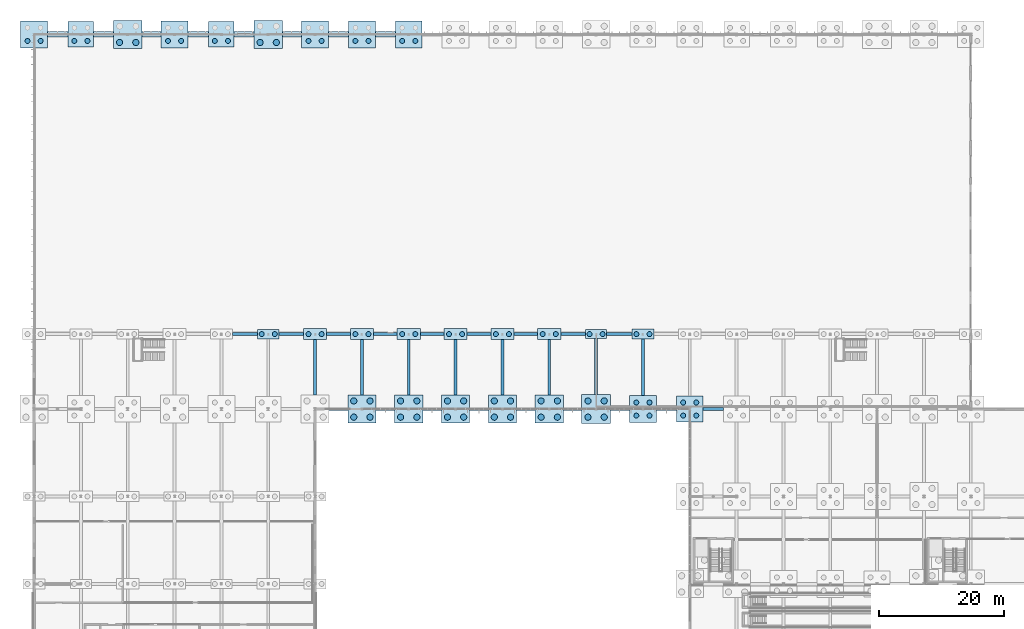
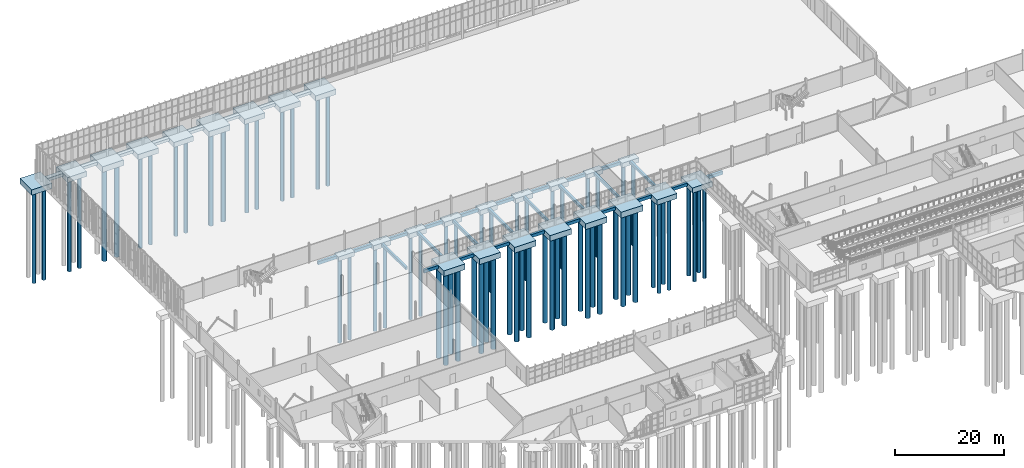
# One storey, part 5 of 136: 68 piles, 60 footings.
"""IFC4 building model written with IfcOpenShell, lengths in metres."""

import ifcopenshell
import ifcopenshell.guid

model = None  # the IFC model being written
_history = None  # IfcOwnerHistory: only IFC2X3 demands one
_inside = {}  # id of a spatial element -> (the spatial element, [elements in it])
_under = {}  # id of a project, library or spatial element -> (it, [spatial elements below it])
_declared = {}  # id of a project -> (the project, [libraries it declares])
_typed = {}  # id of a type object -> (the type object, [elements of that type])
_made_of = {}  # id of a material, layer set ... -> (it, [elements and type objects made of it])


def new_model(schema):
    """Start an empty IFC model of exactly this schema.

    Asked for "IFC4X3", IfcOpenShell would pick the latest addendum, in which some entities
    have other attributes; the version numbers below select the first issue.
    IFC2X3 requires an IfcOwnerHistory on every rooted entity: one is made here for all.
    """
    global model, _history
    if schema == "IFC4X3":
        model = ifcopenshell.file(schema_version=(4, 3, 0, 0))
    else:
        model = ifcopenshell.file(schema=schema)
    _inside.clear()
    _under.clear()
    _declared.clear()
    _typed.clear()
    _made_of.clear()
    _history = None
    if model.schema == "IFC2X3":
        org = make("IfcOrganization", Name="unknown")
        user = make(
            "IfcPersonAndOrganization",
            ThePerson=make("IfcPerson", FamilyName="unknown"),
            TheOrganization=org,
        )
        app = make(
            "IfcApplication",
            ApplicationDeveloper=org,
            Version="unknown",
            ApplicationFullName="unknown",
            ApplicationIdentifier="unknown",
        )
        _history = make(
            "IfcOwnerHistory",
            OwningUser=user,
            OwningApplication=app,
            ChangeAction="ADDED",
            CreationDate=0,
        )
    return model


def make(cls, **values):
    """One entity of the class cls with the attributes given. An attribute that is None is left unset."""
    return model.create_entity(
        cls, **{name: value for name, value in values.items() if value is not None}
    )


def rooted(cls, **values):
    """An entity with a GlobalId (a new one), such as an element, a storey or a relation."""
    return make(cls, GlobalId=ifcopenshell.guid.new(), OwnerHistory=_history, **values)


def si_unit(unit_type, name, prefix=None):
    """IfcSIUnit, for example si_unit("LENGTHUNIT", "METRE", prefix="MILLI")."""
    return make("IfcSIUnit", UnitType=unit_type, Prefix=prefix, Name=name)


def assignment(units):
    """IfcUnitAssignment: the units of a project."""
    return None if units is None else make("IfcUnitAssignment", Units=units)


def point(xyz):
    """IfcCartesianPoint."""
    return None if xyz is None else make("IfcCartesianPoint", Coordinates=xyz)


def direction(xyz):
    """IfcDirection."""
    return None if xyz is None else make("IfcDirection", DirectionRatios=xyz)


def frame(location, z_axis=None, x_axis=None):
    """IfcAxis2Placement3D, a coordinate frame: its origin and axes. An axis left out is left unset."""
    return make(
        "IfcAxis2Placement3D",
        Location=point(location),
        Axis=direction(z_axis),
        RefDirection=direction(x_axis),
    )


def frame_2d(location, x_axis=None):
    """IfcAxis2Placement2D, a coordinate frame in the plane: its origin and x axis."""
    return make(
        "IfcAxis2Placement2D", Location=point(location), RefDirection=direction(x_axis)
    )


def origin():
    """The frame at (0, 0, 0) with its axes left unset."""
    return frame((0.0, 0.0, 0.0))


def origin_2d():
    """The frame at (0, 0) in the plane with its x axis left unset."""
    return frame_2d((0.0, 0.0))


def place(relative_to, where):
    """IfcLocalPlacement: puts the frame where relative to a parent placement (None: the world)."""
    return make(
        "IfcLocalPlacement", PlacementRelTo=relative_to, RelativePlacement=where
    )


def context(
    kind, dimensions, precision=None, world=None, true_north=None, identifier=None
):
    """IfcGeometricRepresentationContext, for example the 3D "Model" context."""
    return make(
        "IfcGeometricRepresentationContext",
        ContextIdentifier=identifier,
        ContextType=kind,
        CoordinateSpaceDimension=dimensions,
        Precision=precision,
        WorldCoordinateSystem=world,
        TrueNorth=true_north,
    )


def subcontext(parent, identifier, kind, view, scale=None):
    """IfcGeometricRepresentationSubContext, for example "Body" below "Model"."""
    return make(
        "IfcGeometricRepresentationSubContext",
        ContextIdentifier=identifier,
        ContextType=kind,
        ParentContext=parent,
        TargetScale=scale,
        TargetView=view,
    )


def project(units=None, contexts=None):
    """IfcProject with its units and contexts."""
    return rooted(
        "IfcProject",
        Name="project",
        RepresentationContexts=contexts,
        UnitsInContext=assignment(units),
    )


def spatial(cls, under=None, at=None, **own):
    """A site, building, storey or space (cls), placed at a placement, below another one or the project."""
    s = rooted(cls, ObjectPlacement=at, **own)
    if under is not None:
        _under.setdefault(under.id(), (under, []))[1].append(s)
    return s


def profile(cls, at=None, kind="AREA", **sizes):
    """A parametric profile (cls). Its sizes go by their IFC names, for example OverallWidth=200.0."""
    return make(cls, ProfileType=kind, Position=at, **sizes)


def rectangle(**sizes):
    """IfcRectangleProfileDef."""
    return profile("IfcRectangleProfileDef", **sizes)


def circle(**sizes):
    """IfcCircleProfileDef."""
    return profile("IfcCircleProfileDef", **sizes)


def extrude(swept, where, along, depth):
    """IfcExtrudedAreaSolid: the profile swept, set in the frame where, extruded along a direction by depth."""
    return make(
        "IfcExtrudedAreaSolid",
        SweptArea=swept,
        Position=where,
        ExtrudedDirection=direction(along),
        Depth=depth,
    )


def shape(context_of_items, identifier, shape_type, items):
    """IfcShapeRepresentation: the items that make up one representation, for example the "Body"."""
    return make(
        "IfcShapeRepresentation",
        ContextOfItems=context_of_items,
        RepresentationIdentifier=identifier,
        RepresentationType=shape_type,
        Items=items,
    )


def material(Name=None, Category=None):
    """IfcMaterial."""
    return make("IfcMaterial", Name=Name, Category=Category)


def material_profile(
    of_material, cross_section, Name=None, Category=None, Priority=None
):
    """IfcMaterialProfile: a cross section and its material."""
    return make(
        "IfcMaterialProfile",
        Name=Name,
        Material=of_material,
        Profile=cross_section,
        Priority=Priority,
        Category=Category,
    )


def profile_set(profiles, Name=None, composite=None):
    """IfcMaterialProfileSet."""
    return make(
        "IfcMaterialProfileSet",
        Name=Name,
        MaterialProfiles=profiles,
        CompositeProfile=composite,
    )


def made_of(thing, what):
    """Note that an element or type object is made of a material, layer set ...; save() writes the relation."""
    if what is not None:
        _made_of.setdefault(what.id(), (what, []))[1].append(thing)
    return thing


def type_object(cls, material=None, **own):
    """A type object (cls), such as IfcWallType, which elements share."""
    return made_of(rooted(cls, **own), material)


def element(
    cls,
    number,
    at=None,
    inside=None,
    cuts=None,
    type_object=None,
    material=None,
    context=None,
    identifier="Body",
    shape_type=None,
    held_by="IfcProductDefinitionShape",
    body=None,
    shapes=None,
    **own,
):
    """One element of the class cls, such as IfcWall. Its Tag is "e" and its number.

    at: its placement. inside: the storey or other place that contains it. cuts: it is an
    opening in that element (IfcRelVoidsElement). A single representation is given by context,
    identifier, shape_type and body (its items); several are given by shapes. held_by: the class
    of the entity that holds the representations. save() writes the other relations.
    """
    e = rooted(cls, Tag="e%d" % number, ObjectPlacement=at, **own)
    if body is not None:
        shapes = [shape(context, identifier, shape_type, body)]
    if shapes is not None:
        e.Representation = make(held_by, Representations=shapes)
    if inside is not None:
        _inside.setdefault(inside.id(), (inside, []))[1].append(e)
    if cuts is not None:
        rooted(
            "IfcRelVoidsElement", RelatingBuildingElement=cuts, RelatedOpeningElement=e
        )
    if type_object is not None:
        _typed.setdefault(type_object.id(), (type_object, []))[1].append(e)
    return made_of(e, material)


def aggregate(whole, parts):
    """IfcRelAggregates: a whole, such as a stair, and the parts it consists of."""
    return rooted("IfcRelAggregates", RelatingObject=whole, RelatedObjects=parts)


def save(model, path):
    """Write the relations noted so far, then the file.

    IfcRelAggregates (storeys below a building ...), IfcRelContainedInSpatialStructure (elements
    in a storey), IfcRelDefinesByType, IfcRelAssociatesMaterial and IfcRelDeclares: one each for
    every whole, place, type object, material and project.
    """
    for whole, parts in _under.values():
        aggregate(whole, parts)
    for where, things in _inside.values():
        rooted(
            "IfcRelContainedInSpatialStructure",
            RelatedElements=things,
            RelatingStructure=where,
        )
    for kind, things in _typed.values():
        rooted("IfcRelDefinesByType", RelatedObjects=things, RelatingType=kind)
    for what, things in _made_of.values():
        rooted("IfcRelAssociatesMaterial", RelatedObjects=things, RelatingMaterial=what)
    for by, libraries in _declared.values():
        rooted("IfcRelDeclares", RelatingContext=by, RelatedDefinitions=libraries)
    model.write(path)


model = new_model("IFC4")

# Units and contexts
model_context = context("Model", 3, precision=1e-05, world=origin(), true_north=direction((0.0, 1.0)))
body_context = subcontext(model_context, "Body", "Model", "MODEL_VIEW")
ifc_project = project(units=[si_unit("LENGTHUNIT", "METRE"), si_unit("AREAUNIT", "SQUARE_METRE"), si_unit("VOLUMEUNIT", "CUBIC_METRE"), si_unit("PLANEANGLEUNIT", "RADIAN"), si_unit("MASSUNIT", "GRAM", prefix="KILO")], contexts=[model_context])

# Site, building, storey
site_placement = place(None, origin())
site = spatial("IfcSite", under=ifc_project, at=site_placement, CompositionType="ELEMENT")
building_placement = place(site_placement, origin())
building = spatial("IfcBuilding", under=site, at=building_placement, Name="Solvenia Promenade Tram Depot", CompositionType="ELEMENT")
storey_placement = place(building_placement, origin())
storey = spatial("IfcBuildingStorey", under=building, at=storey_placement, Name="L00", CompositionType="ELEMENT", Elevation=0.0)

# Footings
ifc_material = material(Name="Concrete C28/35", Category="concrete")
footing_type_1 = type_object("IfcFootingType", Name="Cap-PC2-3400x1450", PredefinedType="PILE_CAP", material=ifc_material)
footing_1_placement = place(storey_placement, frame((90.0, 78.0, -1.25), z_axis=(0.0, 0.0, 1.0), x_axis=(1.0, 0.0, 0.0)))
element("IfcFooting", 1, at=footing_1_placement, inside=storey, type_object=footing_type_1, Name="Pile Cap CAP-089", PredefinedType="PILE_CAP", context=body_context, shape_type="SweptSolid", body=[
    extrude(rectangle(XDim=3.39990234375, YDim=1.449951171875, at=origin_2d()), origin(), (0.0, 0.0, 1.0), 0.949951171875),
])
footing_type_2 = type_object("IfcFootingType", Name="Cap-PC2-3450x1500", PredefinedType="PILE_CAP", material=ifc_material)
footing_2_placement = place(storey_placement, frame((37.5, 78.0, -1.280029296875), z_axis=(0.0, 0.0, 1.0), x_axis=(1.0, 0.0, 0.0)))
element("IfcFooting", 2, at=footing_2_placement, inside=storey, type_object=footing_type_2, Name="Pile Cap CAP-046", PredefinedType="PILE_CAP", context=body_context, shape_type="SweptSolid", body=[
    extrude(rectangle(XDim=3.449951171875, YDim=1.5, at=origin_2d()), origin(), (0.0, 0.0, 1.0), 0.97998046875),
])
footing_type_3 = type_object("IfcFootingType", Name="Cap-PC2-3550x1620", PredefinedType="PILE_CAP", material=ifc_material)
footing_3_placement = place(storey_placement, frame((97.5, 78.0, -1.320068359375), z_axis=(0.0, 0.0, 1.0), x_axis=(1.0, 0.0, 0.0)))
element("IfcFooting", 3, at=footing_3_placement, inside=storey, type_object=footing_type_3, Name="Pile Cap CAP-092", PredefinedType="PILE_CAP", context=body_context, shape_type="SweptSolid", body=[
    extrude(rectangle(XDim=3.550048828125, YDim=1.6201171875, at=origin_2d()), origin(), (0.0, 0.0, 1.0), 1.02001953125),
])
footing_type_4 = type_object("IfcFootingType", Name="Cap-PC2-3700x1750", PredefinedType="PILE_CAP", material=ifc_material)
for number, where, z_axis, x_axis, name in (
    (4, (45.0, 78.0, -1.380126953125), (0.0, 0.0, 1.0), (1.0, 0.0, 0.0), "Pile Cap CAP-054"),
    (5, (52.5, 78.0, -1.380126953125), (0.0, 0.0, 1.0), (1.0, 0.0, 0.0), "Pile Cap CAP-060"),
    (6, (60.0, 78.0, -1.380126953125), (0.0, 0.0, 1.0), (1.0, 0.0, 0.0), "Pile Cap CAP-066"),
    (7, (67.5, 78.0, -1.380126953125), (0.0, 0.0, 1.0), (1.0, 0.0, 0.0), "Pile Cap CAP-072"),
    (8, (75.0, 78.0, -1.380126953125), (0.0, 0.0, 1.0), (1.0, 0.0, 0.0), "Pile Cap CAP-078"),
    (9, (82.5, 78.0, -1.380126953125), (0.0, 0.0, 1.0), (1.0, 0.0, 0.0), "Pile Cap CAP-084"),
):
    element("IfcFooting", number, at=place(storey_placement, frame(where, z_axis=z_axis, x_axis=x_axis)), inside=storey, type_object=footing_type_4, Name=name, PredefinedType="PILE_CAP", context=body_context, shape_type="SweptSolid", body=[
        extrude(rectangle(XDim=3.699951171875, YDim=1.75, at=origin_2d()), origin(), (0.0, 0.0, 1.0), 1.080078125),
    ])
footing_type_5 = type_object("IfcFootingType", Name="Cap-PC4-4100", PredefinedType="PILE_CAP", material=ifc_material)
for number, where, z_axis, x_axis, name in (
    (10, (7.5, 126.0, -1.420166015625), (0.0, 0.0, 1.0), (1.0, 0.0, 0.0), "Pile Cap CAP-015"),
    (11, (30.0, 126.0, -1.420166015625), (0.0, 0.0, 1.0), (1.0, 0.0, 0.0), "Pile Cap CAP-039"),
):
    element("IfcFooting", number, at=place(storey_placement, frame(where, z_axis=z_axis, x_axis=x_axis)), inside=storey, type_object=footing_type_5, Name=name, PredefinedType="PILE_CAP", context=body_context, shape_type="SweptSolid", body=[
        extrude(rectangle(XDim=4.10009765625, YDim=4.10009765625, at=origin_2d()), origin(), (0.0, 0.0, 1.0), 1.1201171875),
    ])
footing_type_6 = type_object("IfcFootingType", Name="Cap-PC4-4200", PredefinedType="PILE_CAP", material=ifc_material)
footing_4_placement = place(storey_placement, frame((105.0, 66.0, -1.449951171875), z_axis=(0.0, 0.0, 1.0), x_axis=(1.0, 0.0, 0.0)))
element("IfcFooting", 12, at=footing_4_placement, inside=storey, type_object=footing_type_6, Name="Pile Cap CAP-097", PredefinedType="PILE_CAP", context=body_context, shape_type="SweptSolid", body=[
    extrude(rectangle(XDim=4.199951171875, YDim=4.199951171875, at=origin_2d()), origin(), (0.0, 0.0, 1.0), 1.14990234375),
])
footing_type_7 = type_object("IfcFootingType", Name="Cap-PC4-4300", PredefinedType="PILE_CAP", material=ifc_material)
for number, where, z_axis, x_axis, name in (
    (13, (0.0, 126.0, -1.47998046875), (0.0, 0.0, 1.0), (1.0, 0.0, 0.0), "Pile Cap CAP-007"),
    (14, (22.5, 126.0, -1.47998046875), (0.0, 0.0, 1.0), (1.0, 0.0, 0.0), "Pile Cap CAP-031"),
    (15, (45.0, 126.0, -1.47998046875), (0.0, 0.0, 1.0), (1.0, 0.0, 0.0), "Pile Cap CAP-055"),
    (16, (52.5, 126.0, -1.47998046875), (0.0, 0.0, 1.0), (1.0, 0.0, 0.0), "Pile Cap CAP-061"),
    (17, (60.0, 126.0, -1.47998046875), (0.0, 0.0, 1.0), (1.0, 0.0, 0.0), "Pile Cap CAP-067"),
    (18, (97.5, 66.0, -1.47998046875), (0.0, 0.0, 1.0), (1.0, 0.0, 0.0), "Pile Cap CAP-091"),
):
    element("IfcFooting", number, at=place(storey_placement, frame(where, z_axis=z_axis, x_axis=x_axis)), inside=storey, type_object=footing_type_7, Name=name, PredefinedType="PILE_CAP", context=body_context, shape_type="SweptSolid", body=[
        extrude(rectangle(XDim=4.300048828125, YDim=4.300048828125, at=origin_2d()), origin(), (0.0, 0.0, 1.0), 1.179931640625),
    ])
footing_type_8 = type_object("IfcFootingType", Name="Cap-PC4-4500", PredefinedType="PILE_CAP", material=ifc_material)
for number, where, z_axis, x_axis, name in (
    (19, (15.0, 126.0, -1.56005859375), (0.0, 0.0, 1.0), (1.0, 0.0, 0.0), "Pile Cap CAP-023"),
    (20, (37.5, 126.0, -1.56005859375), (0.0, 0.0, 1.0), (1.0, 0.0, 0.0), "Pile Cap CAP-047"),
    (21, (52.5, 66.0, -1.56005859375), (0.0, 0.0, 1.0), (1.0, 0.0, 0.0), "Pile Cap CAP-059"),
    (22, (60.0, 66.0, -1.56005859375), (0.0, 0.0, 1.0), (1.0, 0.0, 0.0), "Pile Cap CAP-065"),
    (23, (67.5, 66.0, -1.56005859375), (0.0, 0.0, 1.0), (1.0, 0.0, 0.0), "Pile Cap CAP-071"),
    (24, (75.0, 66.0, -1.56005859375), (0.0, 0.0, 1.0), (1.0, 0.0, 0.0), "Pile Cap CAP-077"),
    (25, (82.5, 66.0, -1.56005859375), (0.0, 0.0, 1.0), (1.0, 0.0, 0.0), "Pile Cap CAP-083"),
):
    element("IfcFooting", number, at=place(storey_placement, frame(where, z_axis=z_axis, x_axis=x_axis)), inside=storey, type_object=footing_type_8, Name=name, PredefinedType="PILE_CAP", context=body_context, shape_type="SweptSolid", body=[
        extrude(rectangle(XDim=4.5, YDim=4.5, at=origin_2d()), origin(), (0.0, 0.0, 1.0), 1.260009765625),
    ])
footing_type_9 = type_object("IfcFootingType", Name="Cap-PC4-4600", PredefinedType="PILE_CAP", material=ifc_material)
footing_5_placement = place(storey_placement, frame((90.0, 66.0, -1.60009765625), z_axis=(0.0, 0.0, 1.0), x_axis=(1.0, 0.0, 0.0)))
element("IfcFooting", 26, at=footing_5_placement, inside=storey, type_object=footing_type_9, Name="Pile Cap CAP-088", PredefinedType="PILE_CAP", context=body_context, shape_type="SweptSolid", body=[
    extrude(rectangle(XDim=4.60009765625, YDim=4.60009765625, at=origin_2d()), origin(), (0.0, 0.0, 1.0), 1.300048828125),
])

# Piles
ifc_material_profile_1 = material_profile(ifc_material, circle(Radius=0.5, at=origin_2d()), Name="D1000", Category="concrete")
ifc_profile_set_1 = profile_set([ifc_material_profile_1], Name="Concrete C28/35")
pile_type_1 = type_object("IfcPileType", Name="Pile-D1000", PredefinedType="BORED", material=ifc_profile_set_1)
for number, where, z_axis, x_axis, name in (
    (27, (13.699951171875, 124.699951171875, -1.4599609375), (0.0, 0.0, -1.0), (1.0, 0.0, 0.0), "Bored Pile PILE-023-1"),
    (28, (16.300048828125, 124.699951171875, -1.4599609375), (0.0, 0.0, -1.0), (1.0, 0.0, 0.0), "Bored Pile PILE-023-3"),
    (29, (36.199951171875, 124.699951171875, -1.4599609375), (0.0, 0.0, -1.0), (1.0, 0.0, 0.0), "Bored Pile PILE-047-1"),
    (30, (38.800048828125, 124.699951171875, -1.4599609375), (0.0, 0.0, -1.0), (1.0, 0.0, 0.0), "Bored Pile PILE-047-3"),
    (31, (51.199951171875, 64.699951171875, -1.4599609375), (0.0, 0.0, -1.0), (1.0, 0.0, 0.0), "Bored Pile PILE-059-1"),
    (32, (51.199951171875, 67.300048828125, -1.4599609375), (0.0, 0.0, -1.0), (1.0, 0.0, 0.0), "Bored Pile PILE-059-2"),
    (33, (53.800048828125, 64.699951171875, -1.4599609375), (0.0, 0.0, -1.0), (1.0, 0.0, 0.0), "Bored Pile PILE-059-3"),
    (34, (53.800048828125, 67.300048828125, -1.4599609375), (0.0, 0.0, -1.0), (1.0, 0.0, 0.0), "Bored Pile PILE-059-4"),
    (35, (58.699951171875, 64.699951171875, -1.4599609375), (0.0, 0.0, -1.0), (1.0, 0.0, 0.0), "Bored Pile PILE-065-1"),
    (36, (58.699951171875, 67.300048828125, -1.4599609375), (0.0, 0.0, -1.0), (1.0, 0.0, 0.0), "Bored Pile PILE-065-2"),
    (37, (61.300048828125, 64.699951171875, -1.4599609375), (0.0, 0.0, -1.0), (1.0, 0.0, 0.0), "Bored Pile PILE-065-3"),
    (38, (61.300048828125, 67.300048828125, -1.4599609375), (0.0, 0.0, -1.0), (1.0, 0.0, 0.0), "Bored Pile PILE-065-4"),
    (39, (66.199951171875, 64.699951171875, -1.4599609375), (0.0, 0.0, -1.0), (1.0, 0.0, 0.0), "Bored Pile PILE-071-1"),
    (40, (66.199951171875, 67.300048828125, -1.4599609375), (0.0, 0.0, -1.0), (1.0, 0.0, 0.0), "Bored Pile PILE-071-2"),
    (41, (68.800048828125, 64.699951171875, -1.4599609375), (0.0, 0.0, -1.0), (1.0, 0.0, 0.0), "Bored Pile PILE-071-3"),
    (42, (68.800048828125, 67.300048828125, -1.4599609375), (0.0, 0.0, -1.0), (1.0, 0.0, 0.0), "Bored Pile PILE-071-4"),
    (43, (73.699951171875, 64.699951171875, -1.4599609375), (0.0, 0.0, -1.0), (1.0, 0.0, 0.0), "Bored Pile PILE-077-1"),
    (44, (73.699951171875, 67.300048828125, -1.4599609375), (0.0, 0.0, -1.0), (1.0, 0.0, 0.0), "Bored Pile PILE-077-2"),
    (45, (76.300048828125, 64.699951171875, -1.4599609375), (0.0, 0.0, -1.0), (1.0, 0.0, 0.0), "Bored Pile PILE-077-3"),
    (46, (76.300048828125, 67.300048828125, -1.4599609375), (0.0, 0.0, -1.0), (1.0, 0.0, 0.0), "Bored Pile PILE-077-4"),
    (47, (81.199951171875, 64.699951171875, -1.4599609375), (0.0, 0.0, -1.0), (1.0, 0.0, 0.0), "Bored Pile PILE-083-1"),
    (48, (81.199951171875, 67.300048828125, -1.4599609375), (0.0, 0.0, -1.0), (1.0, 0.0, 0.0), "Bored Pile PILE-083-2"),
    (49, (83.800048828125, 64.699951171875, -1.4599609375), (0.0, 0.0, -1.0), (1.0, 0.0, 0.0), "Bored Pile PILE-083-3"),
    (50, (83.800048828125, 67.300048828125, -1.4599609375), (0.0, 0.0, -1.0), (1.0, 0.0, 0.0), "Bored Pile PILE-083-4"),
):
    element("IfcPile", number, at=place(storey_placement, frame(where, z_axis=z_axis, x_axis=x_axis)), inside=storey, type_object=pile_type_1, Name=name, PredefinedType="BORED", context=body_context, shape_type="SweptSolid", body=[
        extrude(circle(Radius=0.5, at=origin_2d()), origin(), (0.0, 0.0, 1.0), 20.5400390625),
    ])
for number, where, z_axis, x_axis, name in (
    (51, (88.699951171875, 64.699951171875, -1.5), (0.0, 0.0, -1.0), (1.0, 0.0, 0.0), "Bored Pile PILE-088-1"),
    (52, (88.699951171875, 67.300048828125, -1.5), (0.0, 0.0, -1.0), (1.0, 0.0, 0.0), "Bored Pile PILE-088-2"),
    (53, (91.300048828125, 64.699951171875, -1.5), (0.0, 0.0, -1.0), (1.0, 0.0, 0.0), "Bored Pile PILE-088-3"),
    (54, (91.300048828125, 67.300048828125, -1.5), (0.0, 0.0, -1.0), (1.0, 0.0, 0.0), "Bored Pile PILE-088-4"),
):
    element("IfcPile", number, at=place(storey_placement, frame(where, z_axis=z_axis, x_axis=x_axis)), inside=storey, type_object=pile_type_1, Name=name, PredefinedType="BORED", context=body_context, shape_type="SweptSolid", body=[
        extrude(circle(Radius=0.5, at=origin_2d()), origin(), (0.0, 0.0, 1.0), 20.5),
    ])
ifc_material_profile_2 = material_profile(ifc_material, circle(Radius=0.39990234375, at=origin_2d()), Name="D800", Category="concrete")
ifc_profile_set_2 = profile_set([ifc_material_profile_2], Name="Concrete C28/35")
pile_type_2 = type_object("IfcPileType", Name="Pile-D800", PredefinedType="BORED", material=ifc_profile_set_2)
for number, where, z_axis, x_axis, name in (
    (55, (-1.050048828125, 124.949951171875, -1.3798828125), (0.0, 0.0, -1.0), (1.0, 0.0, 0.0), "Bored Pile PILE-007-1"),
    (56, (1.050048828125, 124.949951171875, -1.3798828125), (0.0, 0.0, -1.0), (1.0, 0.0, 0.0), "Bored Pile PILE-007-3"),
):
    element("IfcPile", number, at=place(storey_placement, frame(where, z_axis=z_axis, x_axis=x_axis)), inside=storey, type_object=pile_type_2, Name=name, PredefinedType="BORED", context=body_context, shape_type="SweptSolid", body=[
        extrude(circle(Radius=0.39990234375, at=origin_2d()), origin(), (0.0, 0.0, 1.0), 20.6201171875),
    ])
for number, where, z_axis, x_axis, name in (
    (57, (6.449951171875, 124.949951171875, -1.320068359375), (0.0, 0.0, -1.0), (1.0, 0.0, 0.0), "Bored Pile PILE-015-1"),
    (58, (8.550048828125, 124.949951171875, -1.320068359375), (0.0, 0.0, -1.0), (1.0, 0.0, 0.0), "Bored Pile PILE-015-3"),
):
    element("IfcPile", number, at=place(storey_placement, frame(where, z_axis=z_axis, x_axis=x_axis)), inside=storey, type_object=pile_type_2, Name=name, PredefinedType="BORED", context=body_context, shape_type="SweptSolid", body=[
        extrude(circle(Radius=0.39990234375, at=origin_2d()), origin(), (0.0, 0.0, 1.0), 20.679931640625),
    ])
for number, where, z_axis, x_axis, name in (
    (59, (21.449951171875, 124.949951171875, -1.3798828125), (0.0, 0.0, -1.0), (1.0, 0.0, 0.0), "Bored Pile PILE-031-1"),
    (60, (23.550048828125, 124.949951171875, -1.3798828125), (0.0, 0.0, -1.0), (1.0, 0.0, 0.0), "Bored Pile PILE-031-3"),
):
    element("IfcPile", number, at=place(storey_placement, frame(where, z_axis=z_axis, x_axis=x_axis)), inside=storey, type_object=pile_type_2, Name=name, PredefinedType="BORED", context=body_context, shape_type="SweptSolid", body=[
        extrude(circle(Radius=0.39990234375, at=origin_2d()), origin(), (0.0, 0.0, 1.0), 20.6201171875),
    ])
for number, where, z_axis, x_axis, name in (
    (61, (28.949951171875, 124.949951171875, -1.320068359375), (0.0, 0.0, -1.0), (1.0, 0.0, 0.0), "Bored Pile PILE-039-1"),
    (62, (31.050048828125, 124.949951171875, -1.320068359375), (0.0, 0.0, -1.0), (1.0, 0.0, 0.0), "Bored Pile PILE-039-3"),
):
    element("IfcPile", number, at=place(storey_placement, frame(where, z_axis=z_axis, x_axis=x_axis)), inside=storey, type_object=pile_type_2, Name=name, PredefinedType="BORED", context=body_context, shape_type="SweptSolid", body=[
        extrude(circle(Radius=0.39990234375, at=origin_2d()), origin(), (0.0, 0.0, 1.0), 20.679931640625),
    ])
for number, where, z_axis, x_axis, name in (
    (63, (36.449951171875, 78.0, -1.179931640625), (0.0, 0.0, -1.0), (1.0, 0.0, 0.0), "Bored Pile PILE-046-1"),
    (64, (38.550048828125, 78.0, -1.179931640625), (0.0, 0.0, -1.0), (1.0, 0.0, 0.0), "Bored Pile PILE-046-2"),
):
    element("IfcPile", number, at=place(storey_placement, frame(where, z_axis=z_axis, x_axis=x_axis)), inside=storey, type_object=pile_type_2, Name=name, PredefinedType="BORED", context=body_context, shape_type="SweptSolid", body=[
        extrude(circle(Radius=0.39990234375, at=origin_2d()), origin(), (0.0, 0.0, 1.0), 18.820068359375),
    ])
for number, where, z_axis, x_axis, name in (
    (65, (43.949951171875, 78.0, -1.280029296875), (0.0, 0.0, -1.0), (1.0, 0.0, 0.0), "Bored Pile PILE-054-1"),
    (66, (46.050048828125, 78.0, -1.280029296875), (0.0, 0.0, -1.0), (1.0, 0.0, 0.0), "Bored Pile PILE-054-2"),
):
    element("IfcPile", number, at=place(storey_placement, frame(where, z_axis=z_axis, x_axis=x_axis)), inside=storey, type_object=pile_type_2, Name=name, PredefinedType="BORED", context=body_context, shape_type="SweptSolid", body=[
        extrude(circle(Radius=0.39990234375, at=origin_2d()), origin(), (0.0, 0.0, 1.0), 18.719970703125),
    ])
for number, where, z_axis, x_axis, name in (
    (67, (43.949951171875, 124.949951171875, -1.3798828125), (0.0, 0.0, -1.0), (1.0, 0.0, 0.0), "Bored Pile PILE-055-1"),
    (68, (46.050048828125, 124.949951171875, -1.3798828125), (0.0, 0.0, -1.0), (1.0, 0.0, 0.0), "Bored Pile PILE-055-3"),
):
    element("IfcPile", number, at=place(storey_placement, frame(where, z_axis=z_axis, x_axis=x_axis)), inside=storey, type_object=pile_type_2, Name=name, PredefinedType="BORED", context=body_context, shape_type="SweptSolid", body=[
        extrude(circle(Radius=0.39990234375, at=origin_2d()), origin(), (0.0, 0.0, 1.0), 20.6201171875),
    ])
for number, where, z_axis, x_axis, name in (
    (69, (51.449951171875, 78.0, -1.280029296875), (0.0, 0.0, -1.0), (1.0, 0.0, 0.0), "Bored Pile PILE-060-1"),
    (70, (53.550048828125, 78.0, -1.280029296875), (0.0, 0.0, -1.0), (1.0, 0.0, 0.0), "Bored Pile PILE-060-2"),
):
    element("IfcPile", number, at=place(storey_placement, frame(where, z_axis=z_axis, x_axis=x_axis)), inside=storey, type_object=pile_type_2, Name=name, PredefinedType="BORED", context=body_context, shape_type="SweptSolid", body=[
        extrude(circle(Radius=0.39990234375, at=origin_2d()), origin(), (0.0, 0.0, 1.0), 18.719970703125),
    ])
for number, where, z_axis, x_axis, name in (
    (71, (51.449951171875, 124.949951171875, -1.3798828125), (0.0, 0.0, -1.0), (1.0, 0.0, 0.0), "Bored Pile PILE-061-1"),
    (72, (53.550048828125, 124.949951171875, -1.3798828125), (0.0, 0.0, -1.0), (1.0, 0.0, 0.0), "Bored Pile PILE-061-3"),
):
    element("IfcPile", number, at=place(storey_placement, frame(where, z_axis=z_axis, x_axis=x_axis)), inside=storey, type_object=pile_type_2, Name=name, PredefinedType="BORED", context=body_context, shape_type="SweptSolid", body=[
        extrude(circle(Radius=0.39990234375, at=origin_2d()), origin(), (0.0, 0.0, 1.0), 20.6201171875),
    ])
for number, where, z_axis, x_axis, name in (
    (73, (58.949951171875, 78.0, -1.280029296875), (0.0, 0.0, -1.0), (1.0, 0.0, 0.0), "Bored Pile PILE-066-1"),
    (74, (61.050048828125, 78.0, -1.280029296875), (0.0, 0.0, -1.0), (1.0, 0.0, 0.0), "Bored Pile PILE-066-2"),
):
    element("IfcPile", number, at=place(storey_placement, frame(where, z_axis=z_axis, x_axis=x_axis)), inside=storey, type_object=pile_type_2, Name=name, PredefinedType="BORED", context=body_context, shape_type="SweptSolid", body=[
        extrude(circle(Radius=0.39990234375, at=origin_2d()), origin(), (0.0, 0.0, 1.0), 18.719970703125),
    ])
for number, where, z_axis, x_axis, name in (
    (75, (58.949951171875, 124.949951171875, -1.3798828125), (0.0, 0.0, -1.0), (1.0, 0.0, 0.0), "Bored Pile PILE-067-1"),
    (76, (61.050048828125, 124.949951171875, -1.3798828125), (0.0, 0.0, -1.0), (1.0, 0.0, 0.0), "Bored Pile PILE-067-3"),
):
    element("IfcPile", number, at=place(storey_placement, frame(where, z_axis=z_axis, x_axis=x_axis)), inside=storey, type_object=pile_type_2, Name=name, PredefinedType="BORED", context=body_context, shape_type="SweptSolid", body=[
        extrude(circle(Radius=0.39990234375, at=origin_2d()), origin(), (0.0, 0.0, 1.0), 20.6201171875),
    ])
for number, where, z_axis, x_axis, name in (
    (77, (66.449951171875, 78.0, -1.280029296875), (0.0, 0.0, -1.0), (1.0, 0.0, 0.0), "Bored Pile PILE-072-1"),
    (78, (68.550048828125, 78.0, -1.280029296875), (0.0, 0.0, -1.0), (1.0, 0.0, 0.0), "Bored Pile PILE-072-2"),
    (79, (73.949951171875, 78.0, -1.280029296875), (0.0, 0.0, -1.0), (1.0, 0.0, 0.0), "Bored Pile PILE-078-1"),
    (80, (76.050048828125, 78.0, -1.280029296875), (0.0, 0.0, -1.0), (1.0, 0.0, 0.0), "Bored Pile PILE-078-2"),
    (81, (81.449951171875, 78.0, -1.280029296875), (0.0, 0.0, -1.0), (1.0, 0.0, 0.0), "Bored Pile PILE-084-1"),
    (82, (83.550048828125, 78.0, -1.280029296875), (0.0, 0.0, -1.0), (1.0, 0.0, 0.0), "Bored Pile PILE-084-2"),
):
    element("IfcPile", number, at=place(storey_placement, frame(where, z_axis=z_axis, x_axis=x_axis)), inside=storey, type_object=pile_type_2, Name=name, PredefinedType="BORED", context=body_context, shape_type="SweptSolid", body=[
        extrude(circle(Radius=0.39990234375, at=origin_2d()), origin(), (0.0, 0.0, 1.0), 18.719970703125),
    ])
for number, where, z_axis, x_axis, name in (
    (83, (88.949951171875, 78.0, -1.14990234375), (0.0, 0.0, -1.0), (1.0, 0.0, 0.0), "Bored Pile PILE-089-1"),
    (84, (91.050048828125, 78.0, -1.14990234375), (0.0, 0.0, -1.0), (1.0, 0.0, 0.0), "Bored Pile PILE-089-2"),
):
    element("IfcPile", number, at=place(storey_placement, frame(where, z_axis=z_axis, x_axis=x_axis)), inside=storey, type_object=pile_type_2, Name=name, PredefinedType="BORED", context=body_context, shape_type="SweptSolid", body=[
        extrude(circle(Radius=0.39990234375, at=origin_2d()), origin(), (0.0, 0.0, 1.0), 18.85009765625),
    ])
for number, where, z_axis, x_axis, name in (
    (85, (96.449951171875, 64.949951171875, -1.3798828125), (0.0, 0.0, -1.0), (1.0, 0.0, 0.0), "Bored Pile PILE-091-1"),
    (86, (96.449951171875, 67.050048828125, -1.3798828125), (0.0, 0.0, -1.0), (1.0, 0.0, 0.0), "Bored Pile PILE-091-2"),
    (87, (98.550048828125, 64.949951171875, -1.3798828125), (0.0, 0.0, -1.0), (1.0, 0.0, 0.0), "Bored Pile PILE-091-3"),
    (88, (98.550048828125, 67.050048828125, -1.3798828125), (0.0, 0.0, -1.0), (1.0, 0.0, 0.0), "Bored Pile PILE-091-4"),
):
    element("IfcPile", number, at=place(storey_placement, frame(where, z_axis=z_axis, x_axis=x_axis)), inside=storey, type_object=pile_type_2, Name=name, PredefinedType="BORED", context=body_context, shape_type="SweptSolid", body=[
        extrude(circle(Radius=0.39990234375, at=origin_2d()), origin(), (0.0, 0.0, 1.0), 20.6201171875),
    ])
for number, where, z_axis, x_axis, name in (
    (89, (96.449951171875, 78.0, -1.219970703125), (0.0, 0.0, -1.0), (1.0, 0.0, 0.0), "Bored Pile PILE-092-1"),
    (90, (98.550048828125, 78.0, -1.219970703125), (0.0, 0.0, -1.0), (1.0, 0.0, 0.0), "Bored Pile PILE-092-2"),
):
    element("IfcPile", number, at=place(storey_placement, frame(where, z_axis=z_axis, x_axis=x_axis)), inside=storey, type_object=pile_type_2, Name=name, PredefinedType="BORED", context=body_context, shape_type="SweptSolid", body=[
        extrude(circle(Radius=0.39990234375, at=origin_2d()), origin(), (0.0, 0.0, 1.0), 18.780029296875),
    ])
for number, where, z_axis, x_axis, name in (
    (91, (103.949951171875, 64.949951171875, -1.35009765625), (0.0, 0.0, -1.0), (1.0, 0.0, 0.0), "Bored Pile PILE-097-1"),
    (92, (103.949951171875, 67.050048828125, -1.35009765625), (0.0, 0.0, -1.0), (1.0, 0.0, 0.0), "Bored Pile PILE-097-2"),
    (93, (106.050048828125, 64.949951171875, -1.35009765625), (0.0, 0.0, -1.0), (1.0, 0.0, 0.0), "Bored Pile PILE-097-3"),
    (94, (106.050048828125, 67.050048828125, -1.35009765625), (0.0, 0.0, -1.0), (1.0, 0.0, 0.0), "Bored Pile PILE-097-4"),
):
    element("IfcPile", number, at=place(storey_placement, frame(where, z_axis=z_axis, x_axis=x_axis)), inside=storey, type_object=pile_type_2, Name=name, PredefinedType="BORED", context=body_context, shape_type="SweptSolid", body=[
        extrude(circle(Radius=0.39990234375, at=origin_2d()), origin(), (0.0, 0.0, 1.0), 20.64990234375),
    ])

# Footings
footing_type_10 = type_object("IfcFootingType", Name="StripFoot-Plinth", PredefinedType="STRIP_FOOTING", material=ifc_material)
footing_6_placement = place(storey_placement, frame((3.800048828125, 126.0, -0.949951171875), z_axis=(0.0, 0.0, 1.0), x_axis=(1.0, 0.0, 0.0)))
element("IfcFooting", 95, at=footing_6_placement, inside=storey, type_object=footing_type_10, Name="Plinth Strip Footing 1", PredefinedType="STRIP_FOOTING", context=body_context, shape_type="SweptSolid", body=[
    extrude(rectangle(XDim=3.300048828125, YDim=0.89990234375, at=origin_2d()), origin(), (0.0, 0.0, 1.0), 0.64990234375),
])
footing_7_placement = place(storey_placement, frame((11.14990234375, 126.0, -0.949951171875), z_axis=(0.0, 0.0, 1.0), x_axis=(1.0, 0.0, 0.0)))
element("IfcFooting", 96, at=footing_7_placement, inside=storey, type_object=footing_type_10, Name="Plinth Strip Footing 2", PredefinedType="STRIP_FOOTING", context=body_context, shape_type="SweptSolid", body=[
    extrude(rectangle(XDim=3.199951171875, YDim=0.89990234375, at=origin_2d()), origin(), (0.0, 0.0, 1.0), 0.64990234375),
])
footing_8_placement = place(storey_placement, frame((18.800048828125, 126.0, -0.949951171875), z_axis=(0.0, 0.0, 1.0), x_axis=(1.0, 0.0, 0.0)))
element("IfcFooting", 97, at=footing_8_placement, inside=storey, type_object=footing_type_10, Name="Plinth Strip Footing 3", PredefinedType="STRIP_FOOTING", context=body_context, shape_type="SweptSolid", body=[
    extrude(rectangle(XDim=3.10009765625, YDim=0.89990234375, at=origin_2d()), origin(), (0.0, 0.0, 1.0), 0.64990234375),
])
footing_9_placement = place(storey_placement, frame((26.300048828125, 126.0, -0.949951171875), z_axis=(0.0, 0.0, 1.0), x_axis=(1.0, 0.0, 0.0)))
element("IfcFooting", 98, at=footing_9_placement, inside=storey, type_object=footing_type_10, Name="Plinth Strip Footing 4", PredefinedType="STRIP_FOOTING", context=body_context, shape_type="SweptSolid", body=[
    extrude(rectangle(XDim=3.300048828125, YDim=0.89990234375, at=origin_2d()), origin(), (0.0, 0.0, 1.0), 0.64990234375),
])
footing_10_placement = place(storey_placement, frame((33.64990234375, 126.0, -0.949951171875), z_axis=(0.0, 0.0, 1.0), x_axis=(1.0, 0.0, 0.0)))
element("IfcFooting", 99, at=footing_10_placement, inside=storey, type_object=footing_type_10, Name="Plinth Strip Footing 5", PredefinedType="STRIP_FOOTING", context=body_context, shape_type="SweptSolid", body=[
    extrude(rectangle(XDim=3.199951171875, YDim=0.89990234375, at=origin_2d()), origin(), (0.0, 0.0, 1.0), 0.64990234375),
])
footing_11_placement = place(storey_placement, frame((41.300048828125, 126.0, -0.949951171875), z_axis=(0.0, 0.0, 1.0), x_axis=(1.0, 0.0, 0.0)))
element("IfcFooting", 100, at=footing_11_placement, inside=storey, type_object=footing_type_10, Name="Plinth Strip Footing 6", PredefinedType="STRIP_FOOTING", context=body_context, shape_type="SweptSolid", body=[
    extrude(rectangle(XDim=3.10009765625, YDim=0.89990234375, at=origin_2d()), origin(), (0.0, 0.0, 1.0), 0.64990234375),
])
for number, where, z_axis, x_axis, name in (
    (101, (48.75, 126.0, -0.949951171875), (0.0, 0.0, 1.0), (1.0, 0.0, 0.0), "Plinth Strip Footing 7"),
    (102, (56.25, 126.0, -0.949951171875), (0.0, 0.0, 1.0), (1.0, 0.0, 0.0), "Plinth Strip Footing 8"),
):
    element("IfcFooting", number, at=place(storey_placement, frame(where, z_axis=z_axis, x_axis=x_axis)), inside=storey, type_object=footing_type_10, Name=name, PredefinedType="STRIP_FOOTING", context=body_context, shape_type="SweptSolid", body=[
        extrude(rectangle(XDim=3.199951171875, YDim=0.89990234375, at=origin_2d()), origin(), (0.0, 0.0, 1.0), 0.64990234375),
    ])
footing_type_11 = type_object("IfcFootingType", Name="TieBeam-450x600", PredefinedType="FOOTING_BEAM", material=ifc_material)
for number, where, z_axis, x_axis, name in (
    (103, (45.0, 72.6875, -0.900146484375), (0.0, 0.0, 1.0), (1.0, 0.0, 0.0), "Seismic Tie Beam Y-178"),
    (104, (52.5, 72.6875, -0.900146484375), (0.0, 0.0, 1.0), (1.0, 0.0, 0.0), "Seismic Tie Beam Y-181"),
    (105, (60.0, 72.6875, -0.900146484375), (0.0, 0.0, 1.0), (1.0, 0.0, 0.0), "Seismic Tie Beam Y-184"),
    (106, (67.5, 72.6875, -0.900146484375), (0.0, 0.0, 1.0), (1.0, 0.0, 0.0), "Seismic Tie Beam Y-187"),
    (107, (75.0, 72.6875, -0.900146484375), (0.0, 0.0, 1.0), (1.0, 0.0, 0.0), "Seismic Tie Beam Y-190"),
    (108, (82.5, 72.6875, -0.900146484375), (0.0, 0.0, 1.0), (1.0, 0.0, 0.0), "Seismic Tie Beam Y-193"),
):
    element("IfcFooting", number, at=place(storey_placement, frame(where, z_axis=z_axis, x_axis=x_axis)), inside=storey, type_object=footing_type_11, Name=name, PredefinedType="FOOTING_BEAM", context=body_context, shape_type="SweptSolid", body=[
        extrude(rectangle(XDim=0.449951171875, YDim=8.875, at=origin_2d()), origin(), (0.0, 0.0, 1.0), 0.60009765625),
    ])
footing_12_placement = place(storey_placement, frame((90.0, 72.78759765625, -0.900146484375), z_axis=(0.0, 0.0, 1.0), x_axis=(1.0, 0.0, 0.0)))
element("IfcFooting", 109, at=footing_12_placement, inside=storey, type_object=footing_type_11, Name="Seismic Tie Beam Y-195", PredefinedType="FOOTING_BEAM", context=body_context, shape_type="SweptSolid", body=[
    extrude(rectangle(XDim=0.449951171875, YDim=8.97509765625, at=origin_2d()), origin(), (0.0, 0.0, 1.0), 0.60009765625),
])
footing_13_placement = place(storey_placement, frame((97.5, 72.669921875, -0.900146484375), z_axis=(0.0, 0.0, 1.0), x_axis=(1.0, 0.0, 0.0)))
element("IfcFooting", 110, at=footing_13_placement, inside=storey, type_object=footing_type_11, Name="Seismic Tie Beam Y-196", PredefinedType="FOOTING_BEAM", context=body_context, shape_type="SweptSolid", body=[
    extrude(rectangle(XDim=0.449951171875, YDim=9.0400390625, at=origin_2d()), origin(), (0.0, 0.0, 1.0), 0.60009765625),
])
footing_type_12 = type_object("IfcFootingType", Name="TieBeam-500x700", PredefinedType="FOOTING_BEAM", material=ifc_material)
for number, where, z_axis, x_axis, name in (
    (111, (48.75, 66.0, -1.0), (0.0, 0.0, 1.0), (1.0, 0.0, 0.0), "Seismic Tie Beam X-089"),
    (112, (56.25, 66.0, -1.0), (0.0, 0.0, 1.0), (1.0, 0.0, 0.0), "Seismic Tie Beam X-090"),
    (113, (63.75, 66.0, -1.0), (0.0, 0.0, 1.0), (1.0, 0.0, 0.0), "Seismic Tie Beam X-091"),
    (114, (71.25, 66.0, -1.0), (0.0, 0.0, 1.0), (1.0, 0.0, 0.0), "Seismic Tie Beam X-092"),
    (115, (78.75, 66.0, -1.0), (0.0, 0.0, 1.0), (1.0, 0.0, 0.0), "Seismic Tie Beam X-093"),
):
    element("IfcFooting", number, at=place(storey_placement, frame(where, z_axis=z_axis, x_axis=x_axis)), inside=storey, type_object=footing_type_12, Name=name, PredefinedType="FOOTING_BEAM", context=body_context, shape_type="SweptSolid", body=[
        extrude(rectangle(XDim=3.0, YDim=0.5, at=origin_2d()), origin(), (0.0, 0.0, 1.0), 0.699951171875),
    ])
footing_14_placement = place(storey_placement, frame((86.22509765625, 66.0, -1.0), z_axis=(0.0, 0.0, 1.0), x_axis=(1.0, 0.0, 0.0)))
element("IfcFooting", 116, at=footing_14_placement, inside=storey, type_object=footing_type_12, Name="Seismic Tie Beam X-094", PredefinedType="FOOTING_BEAM", context=body_context, shape_type="SweptSolid", body=[
    extrude(rectangle(XDim=2.949951171875, YDim=0.5, at=origin_2d()), origin(), (0.0, 0.0, 1.0), 0.699951171875),
])
footing_15_placement = place(storey_placement, frame((93.824951171875, 66.0, -1.0), z_axis=(0.0, 0.0, 1.0), x_axis=(1.0, 0.0, 0.0)))
element("IfcFooting", 117, at=footing_15_placement, inside=storey, type_object=footing_type_12, Name="Seismic Tie Beam X-095", PredefinedType="FOOTING_BEAM", context=body_context, shape_type="SweptSolid", body=[
    extrude(rectangle(XDim=3.050048828125, YDim=0.5, at=origin_2d()), origin(), (0.0, 0.0, 1.0), 0.699951171875),
])
footing_16_placement = place(storey_placement, frame((101.27490234375, 66.0, -1.0), z_axis=(0.0, 0.0, 1.0), x_axis=(1.0, 0.0, 0.0)))
element("IfcFooting", 118, at=footing_16_placement, inside=storey, type_object=footing_type_12, Name="Seismic Tie Beam X-096", PredefinedType="FOOTING_BEAM", context=body_context, shape_type="SweptSolid", body=[
    extrude(rectangle(XDim=3.25, YDim=0.5, at=origin_2d()), origin(), (0.0, 0.0, 1.0), 0.699951171875),
])
footing_17_placement = place(storey_placement, frame((108.75, 66.0, -1.0), z_axis=(0.0, 0.0, 1.0), x_axis=(1.0, 0.0, 0.0)))
element("IfcFooting", 119, at=footing_17_placement, inside=storey, type_object=footing_type_12, Name="Seismic Tie Beam X-097", PredefinedType="FOOTING_BEAM", context=body_context, shape_type="SweptSolid", body=[
    extrude(rectangle(XDim=3.300048828125, YDim=0.5, at=origin_2d()), origin(), (0.0, 0.0, 1.0), 0.699951171875),
])
footing_18_placement = place(storey_placement, frame((33.77490234375, 78.0, -1.0), z_axis=(0.0, 0.0, 1.0), x_axis=(1.0, 0.0, 0.0)))
element("IfcFooting", 120, at=footing_18_placement, inside=storey, type_object=footing_type_12, Name="Seismic Tie Beam X-110", PredefinedType="FOOTING_BEAM", context=body_context, shape_type="SweptSolid", body=[
    extrude(rectangle(XDim=4.0, YDim=0.5, at=origin_2d()), origin(), (0.0, 0.0, 1.0), 0.699951171875),
])
footing_19_placement = place(storey_placement, frame((41.1875, 78.0, -1.0), z_axis=(0.0, 0.0, 1.0), x_axis=(1.0, 0.0, 0.0)))
element("IfcFooting", 121, at=footing_19_placement, inside=storey, type_object=footing_type_12, Name="Seismic Tie Beam X-111", PredefinedType="FOOTING_BEAM", context=body_context, shape_type="SweptSolid", body=[
    extrude(rectangle(XDim=3.925048828125, YDim=0.5, at=origin_2d()), origin(), (0.0, 0.0, 1.0), 0.699951171875),
])
for number, where, z_axis, x_axis, name in (
    (122, (48.75, 78.0, -1.0), (0.0, 0.0, 1.0), (1.0, 0.0, 0.0), "Seismic Tie Beam X-112"),
    (123, (56.25, 78.0, -1.0), (0.0, 0.0, 1.0), (1.0, 0.0, 0.0), "Seismic Tie Beam X-113"),
    (124, (63.75, 78.0, -1.0), (0.0, 0.0, 1.0), (1.0, 0.0, 0.0), "Seismic Tie Beam X-114"),
    (125, (71.25, 78.0, -1.0), (0.0, 0.0, 1.0), (1.0, 0.0, 0.0), "Seismic Tie Beam X-115"),
    (126, (78.75, 78.0, -1.0), (0.0, 0.0, 1.0), (1.0, 0.0, 0.0), "Seismic Tie Beam X-116"),
):
    element("IfcFooting", number, at=place(storey_placement, frame(where, z_axis=z_axis, x_axis=x_axis)), inside=storey, type_object=footing_type_12, Name=name, PredefinedType="FOOTING_BEAM", context=body_context, shape_type="SweptSolid", body=[
        extrude(rectangle(XDim=3.800048828125, YDim=0.5, at=origin_2d()), origin(), (0.0, 0.0, 1.0), 0.699951171875),
    ])
footing_20_placement = place(storey_placement, frame((86.324951171875, 78.0, -1.0), z_axis=(0.0, 0.0, 1.0), x_axis=(1.0, 0.0, 0.0)))
element("IfcFooting", 127, at=footing_20_placement, inside=storey, type_object=footing_type_12, Name="Seismic Tie Beam X-117", PredefinedType="FOOTING_BEAM", context=body_context, shape_type="SweptSolid", body=[
    extrude(rectangle(XDim=3.949951171875, YDim=0.5, at=origin_2d()), origin(), (0.0, 0.0, 1.0), 0.699951171875),
])
footing_21_placement = place(storey_placement, frame((93.71240234375, 78.0, -1.0), z_axis=(0.0, 0.0, 1.0), x_axis=(1.0, 0.0, 0.0)))
element("IfcFooting", 128, at=footing_21_placement, inside=storey, type_object=footing_type_12, Name="Seismic Tie Beam X-118", PredefinedType="FOOTING_BEAM", context=body_context, shape_type="SweptSolid", body=[
    extrude(rectangle(XDim=4.02490234375, YDim=0.5, at=origin_2d()), origin(), (0.0, 0.0, 1.0), 0.699951171875),
])

save(model, "model.ifc")
